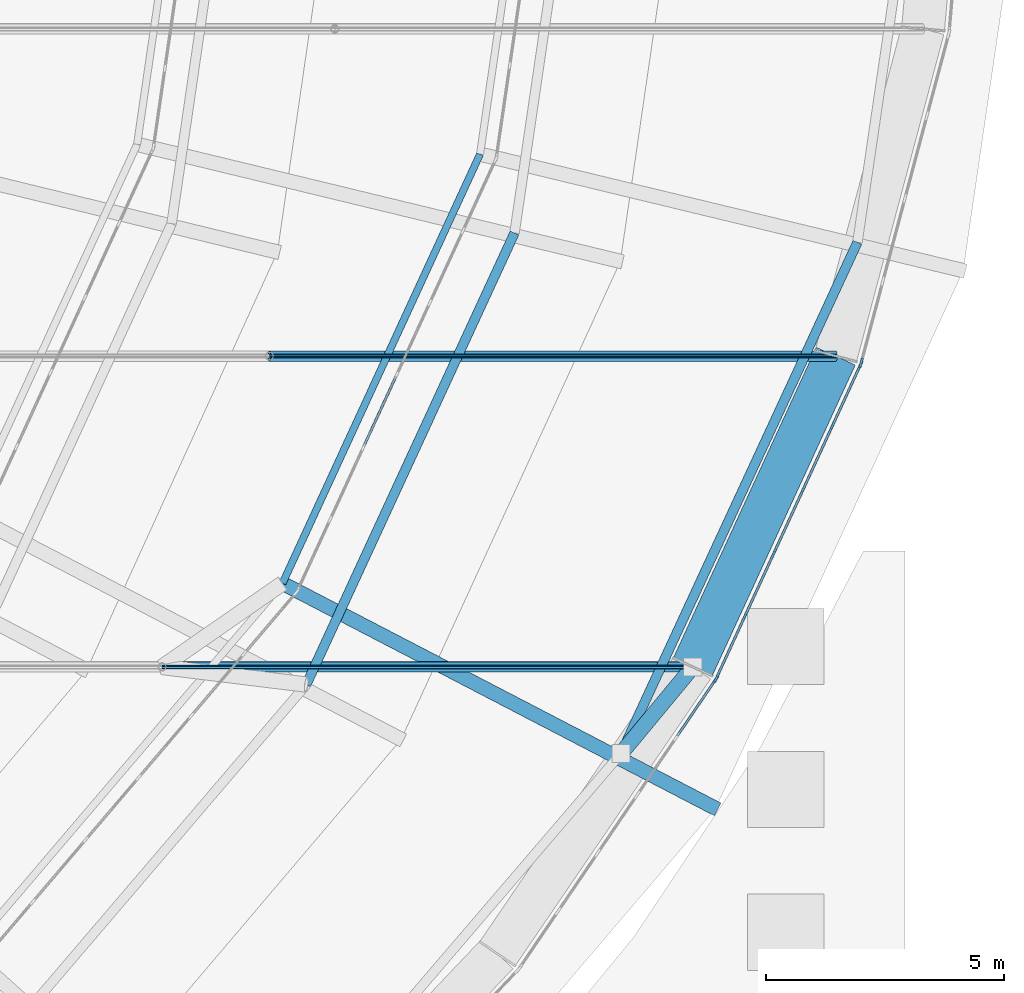
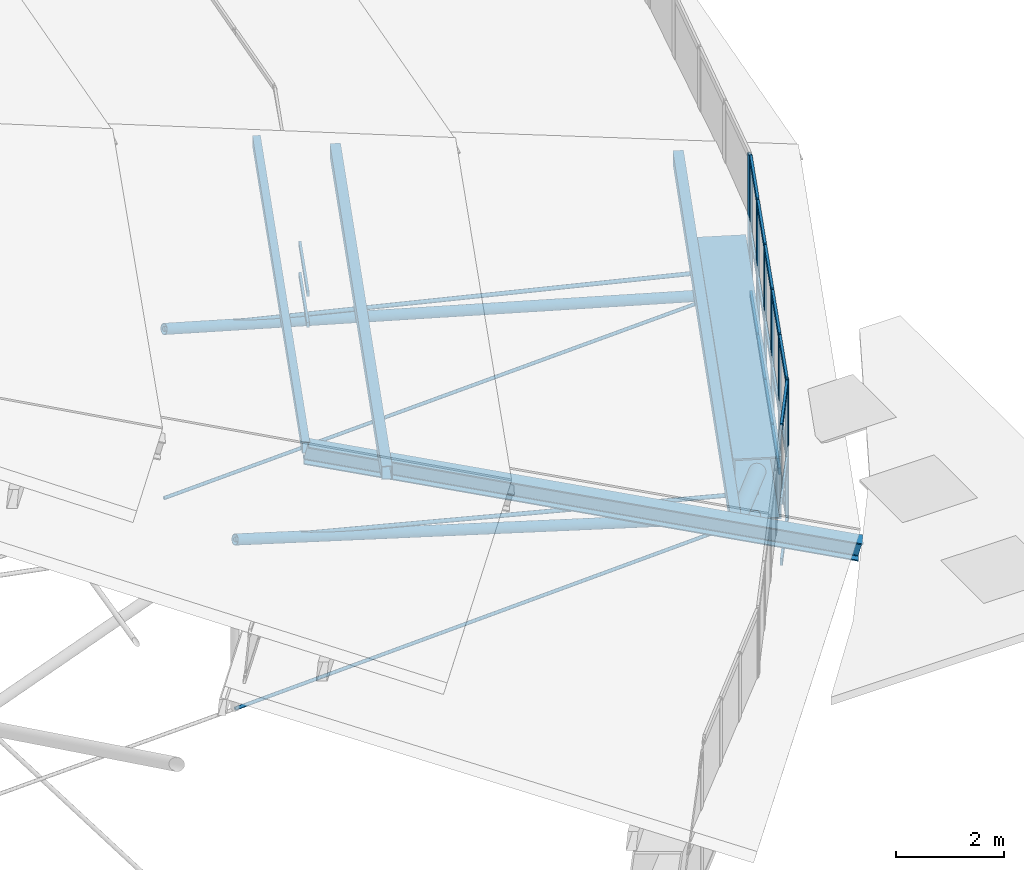
# One storey, part 83 of 173: 39 members, 1 beam, 4 elements without a shape of their own.
"""IFC4 building model written with IfcOpenShell, lengths in metres."""

from ifc_helpers import new_model, si_unit, direction, frame, origin, origin_2d, place, context, subcontext, project, spatial, rectangle, hollow_rectangle, circle, hollow_circle, i_section, extrude, material, material_profile, profile_set, type_object, element, aggregate, save


model = new_model("IFC4")

# Units and contexts
model_context = context("Model", 3, precision=1e-05, world=origin(), true_north=direction((0.0, 1.0)))
body_context = subcontext(model_context, "Body", "Model", "MODEL_VIEW")
ifc_project = project(units=[si_unit("LENGTHUNIT", "METRE"), si_unit("AREAUNIT", "SQUARE_METRE"), si_unit("VOLUMEUNIT", "CUBIC_METRE"), si_unit("PLANEANGLEUNIT", "RADIAN"), si_unit("MASSUNIT", "GRAM", prefix="KILO")], contexts=[model_context])

# Site, building, storey
site_placement = place(None, origin())
site = spatial("IfcSite", under=ifc_project, at=site_placement, CompositionType="ELEMENT")
building_placement = place(site_placement, origin())
building = spatial("IfcBuilding", under=site, at=building_placement, Name="Glasvene Arena", CompositionType="ELEMENT")
storey_placement = place(building_placement, frame((0.0, 0.0, 28.800048828125)))
storey = spatial("IfcBuildingStorey", under=building, at=storey_placement, Name="RF", CompositionType="ELEMENT", Elevation=28.800048828125)

# Beam
ifc_material_1 = material(Name="Steel S355J2", Category="steel")
ifc_material_profile_1 = material_profile(ifc_material_1, hollow_rectangle(XDim=0.89990234375, YDim=1.39990234375, WallThickness=0.034912109375, at=origin_2d()), Name="WBOX 900x1400x35")
ifc_profile_set_1 = profile_set([ifc_material_profile_1], Name="Steel S355J2")
beam_type = type_object("IfcBeamType", Name="BM-RING-BOX1400", PredefinedType="USERDEFINED", material=ifc_profile_set_1)
beam_placement = place(storey_placement, frame((136.55029296875, 52.5703125, -0.699951171875), z_axis=(0.418070582056, 0.908414546569, 0.0), x_axis=(-0.908414546569, 0.418070582056, 0.0)))
element("IfcBeam", 1, at=beam_placement, inside=storey, type_object=beam_type, Name="Compression ring beam chord RB-38", ObjectType="RING BEAM", PredefinedType="USERDEFINED", context=body_context, shape_type="SweptSolid", body=[
    extrude(hollow_rectangle(XDim=0.89990234375, YDim=1.39990234375, WallThickness=0.034912109375, at=origin_2d()), origin(), (0.0, 0.0, 1.0), 7.181640625),
])

# Curtain wall, member
ifc_material_2 = material(Name="Low-emissivity laminated double glazing", Category="glass")
curtain_wall_type_1 = type_object("IfcCurtainWallType", Name="CW-DRUM-737x310", PredefinedType="USERDEFINED", material=ifc_material_2)
curtain_wall_1_placement = place(storey_placement, frame((132.895751953125, 46.226318359375, 0.0)))
curtain_wall_1 = element("IfcCurtainWall", 2, at=curtain_wall_1_placement, inside=storey, type_object=curtain_wall_type_1, Name="Crown compression-ring fascia curtain wall 37", ObjectType="CURTAIN WALL", PredefinedType="USERDEFINED")
ifc_material_3 = material(Name="Anodised architectural aluminium", Category="aluminium")
ifc_material_profile_2 = material_profile(ifc_material_3, rectangle(XDim=0.050048828125, YDim=0.199951171875, at=origin_2d()), Name="ALU MULLION 50x200")
ifc_profile_set_2 = profile_set([ifc_material_profile_2], Name="Anodised architectural aluminium")
member_type_1 = type_object("IfcMemberType", Name="CW-MUL-180", PredefinedType="MULLION", material=ifc_profile_set_2)
member_1_placement = place(storey_placement, frame((137.0263671875, 52.300048828125, -1.380126953125), z_axis=(0.0, 0.0, 1.0), x_axis=(-0.826896469394, 0.56235418457, 0.0)))
member_1 = element("IfcMember", 3, at=member_1_placement, type_object=member_type_1, Name="CW-074 mullion 6", PredefinedType="MULLION", context=body_context, shape_type="SweptSolid", body=[
    extrude(rectangle(XDim=0.050048828125, YDim=0.199951171875, at=origin_2d()), origin(), (0.0, 0.0, 1.0), 3.10009765625),
])

# Curtain wall, members
curtain_wall_type_2 = type_object("IfcCurtainWallType", Name="CW-DRUM-727x310", PredefinedType="USERDEFINED", material=ifc_material_2)
curtain_wall_2_placement = place(storey_placement, frame((137.040283203125, 52.32080078125, 0.0)))
curtain_wall_2 = element("IfcCurtainWall", 4, at=curtain_wall_2_placement, inside=storey, type_object=curtain_wall_type_2, Name="Crown compression-ring fascia curtain wall 38", ObjectType="CURTAIN WALL", PredefinedType="USERDEFINED")
member_2_placement = place(storey_placement, frame((137.05078125, 52.343505859375, -1.380126953125), z_axis=(0.0, 0.0, 1.0), x_axis=(-0.908603046232, 0.417660752738, 0.0)))
member_2 = element("IfcMember", 5, at=member_2_placement, type_object=member_type_1, Name="CW-073 mullion 1", PredefinedType="MULLION", context=body_context, shape_type="SweptSolid", body=[
    extrude(rectangle(XDim=0.050048828125, YDim=0.199951171875, at=origin_2d()), origin(), (0.0, 0.0, 1.0), 3.10009765625),
])
member_3_placement = place(storey_placement, frame((137.6474609375, 53.641357421875, -1.380126953125), z_axis=(0.0, 0.0, 1.0), x_axis=(-0.908603046232, 0.417660752738, 0.0)))
member_3 = element("IfcMember", 6, at=member_3_placement, type_object=member_type_1, Name="CW-073 mullion 2", PredefinedType="MULLION", context=body_context, shape_type="SweptSolid", body=[
    extrude(rectangle(XDim=0.050048828125, YDim=0.199951171875, at=origin_2d()), origin(), (0.0, 0.0, 1.0), 3.10009765625),
])
member_4_placement = place(storey_placement, frame((138.254638671875, 54.962158203125, -1.380126953125), z_axis=(0.0, 0.0, 1.0), x_axis=(-0.908603046232, 0.417660752738, 0.0)))
member_4 = element("IfcMember", 7, at=member_4_placement, type_object=member_type_1, Name="CW-073 mullion 3", PredefinedType="MULLION", context=body_context, shape_type="SweptSolid", body=[
    extrude(rectangle(XDim=0.050048828125, YDim=0.199951171875, at=origin_2d()), origin(), (0.0, 0.0, 1.0), 3.10009765625),
])
member_5_placement = place(storey_placement, frame((138.86181640625, 56.282958984375, -1.380126953125), z_axis=(0.0, 0.0, 1.0), x_axis=(-0.908603046232, 0.417660752738, 0.0)))
member_5 = element("IfcMember", 8, at=member_5_placement, type_object=member_type_1, Name="CW-073 mullion 4", PredefinedType="MULLION", context=body_context, shape_type="SweptSolid", body=[
    extrude(rectangle(XDim=0.050048828125, YDim=0.199951171875, at=origin_2d()), origin(), (0.0, 0.0, 1.0), 3.10009765625),
])
member_6_placement = place(storey_placement, frame((139.46875, 57.603515625, -1.380126953125), z_axis=(0.0, 0.0, 1.0), x_axis=(-0.908603046232, 0.417660752738, 0.0)))
member_6 = element("IfcMember", 9, at=member_6_placement, type_object=member_type_1, Name="CW-073 mullion 5", PredefinedType="MULLION", context=body_context, shape_type="SweptSolid", body=[
    extrude(rectangle(XDim=0.050048828125, YDim=0.199951171875, at=origin_2d()), origin(), (0.0, 0.0, 1.0), 3.10009765625),
])
member_7_placement = place(storey_placement, frame((140.0654296875, 58.901611328125, -1.380126953125), z_axis=(0.0, 0.0, 1.0), x_axis=(-0.908603046232, 0.417660752738, 0.0)))
member_7 = element("IfcMember", 10, at=member_7_placement, type_object=member_type_1, Name="CW-073 mullion 6", PredefinedType="MULLION", context=body_context, shape_type="SweptSolid", body=[
    extrude(rectangle(XDim=0.050048828125, YDim=0.199951171875, at=origin_2d()), origin(), (0.0, 0.0, 1.0), 3.10009765625),
])

# Curtain wall, member
curtain_wall_type_3 = type_object("IfcCurtainWallType", Name="CW-DRUM-719x310", PredefinedType="USERDEFINED", material=ifc_material_2)
curtain_wall_3_placement = place(storey_placement, frame((140.075927734375, 58.92431640625, 0.0)))
curtain_wall_3 = element("IfcCurtainWall", 11, at=curtain_wall_3_placement, inside=storey, type_object=curtain_wall_type_3, Name="Crown compression-ring fascia curtain wall 39", ObjectType="CURTAIN WALL", PredefinedType="USERDEFINED")
member_8_placement = place(storey_placement, frame((140.082275390625, 58.948486328125, -1.380126953125), z_axis=(0.0, 0.0, 1.0), x_axis=(-0.966292374807, 0.257447172039, 0.0)))
member_8 = element("IfcMember", 12, at=member_8_placement, type_object=member_type_1, Name="CW-072 mullion 1", PredefinedType="MULLION", context=body_context, shape_type="SweptSolid", body=[
    extrude(rectangle(XDim=0.050048828125, YDim=0.199951171875, at=origin_2d()), origin(), (0.0, 0.0, 1.0), 3.10009765625),
])
aggregate(curtain_wall_3, [member_8])

# Curtain wall, members
curtain_wall_type_4 = type_object("IfcCurtainWallType", Name="CW-PET1-1001x75", PredefinedType="USERDEFINED", material=ifc_material_2)
curtain_wall_4_placement = place(storey_placement, frame((128.2431640625, 54.14990234375, 0.0)))
curtain_wall_4 = element("IfcCurtainWall", 13, at=curtain_wall_4_placement, inside=storey, type_object=curtain_wall_type_4, Name="Petal ring 1-2 clerestory curtain wall 23", ObjectType="CURTAIN WALL", PredefinedType="USERDEFINED")
ifc_material_profile_3 = material_profile(ifc_material_3, rectangle(XDim=0.050048828125, YDim=0.1201171875, at=origin_2d()), Name="ALU TRANSOM 50x120")
ifc_profile_set_3 = profile_set([ifc_material_profile_3], Name="Anodised architectural aluminium")
member_type_2 = type_object("IfcMemberType", Name="CW-TRN-120", PredefinedType="USERDEFINED", material=ifc_profile_set_3)
member_9_placement = place(storey_placement, frame((129.647216796875, 57.20361328125, 2.60498046875), z_axis=(0.417823409802, 0.908528259451, 0.0), x_axis=(-0.908528259451, 0.417823409802, 0.0)))
member_9 = element("IfcMember", 14, at=member_9_placement, type_object=member_type_2, Name="CW-082 transom 3.1", ObjectType="TRANSOM", PredefinedType="USERDEFINED", context=body_context, shape_type="SweptSolid", body=[
    extrude(rectangle(XDim=0.050048828125, YDim=0.1201171875, at=origin_2d()), origin(), (0.0, 0.0, 1.0), 1.617919921875),
])
member_10_placement = place(storey_placement, frame((129.647216796875, 57.20361328125, 3.304931640625), z_axis=(0.417823409802, 0.908528259451, 0.0), x_axis=(-0.908528259451, 0.417823409802, 0.0)))
member_10 = element("IfcMember", 15, at=member_10_placement, type_object=member_type_2, Name="CW-082 transom 3.2", ObjectType="TRANSOM", PredefinedType="USERDEFINED", context=body_context, shape_type="SweptSolid", body=[
    extrude(rectangle(XDim=0.050048828125, YDim=0.1201171875, at=origin_2d()), origin(), (0.0, 0.0, 1.0), 1.617919921875),
])
aggregate(curtain_wall_4, [member_9, member_10])

# Member
ifc_material_profile_4 = material_profile(ifc_material_3, rectangle(XDim=0.050048828125, YDim=0.14990234375, at=origin_2d()), Name="ALU TRANSOM 50x150")
ifc_profile_set_4 = profile_set([ifc_material_profile_4], Name="Anodised architectural aluminium")
member_type_3 = type_object("IfcMemberType", Name="CW-TRN-150", PredefinedType="USERDEFINED", material=ifc_profile_set_4)
member_11_placement = place(storey_placement, frame((136.2255859375, 51.12255859375, -1.35498046875), z_axis=(0.562329116221, 0.826913517274, 0.0), x_axis=(-0.826913517274, 0.562329116221, 0.0)))
member_11 = element("IfcMember", 16, at=member_11_placement, type_object=member_type_3, Name="CW-074 transom 5.1", ObjectType="TRANSOM", PredefinedType="USERDEFINED", context=body_context, shape_type="SweptSolid", body=[
    extrude(rectangle(XDim=0.050048828125, YDim=0.14990234375, at=origin_2d()), origin(), (0.0, 0.0, 1.0), 1.39892578125),
])

member_12_placement = place(storey_placement, frame((136.2255859375, 51.12255859375, 0.02001953125), z_axis=(0.562329116221, 0.826913517274, 0.0), x_axis=(-0.826913517274, 0.562329116221, 0.0)))
member_12 = element("IfcMember", 17, at=member_12_placement, type_object=member_type_3, Name="CW-074 transom 5.2", ObjectType="TRANSOM", PredefinedType="USERDEFINED", context=body_context, shape_type="SweptSolid", body=[
    extrude(rectangle(XDim=0.050048828125, YDim=0.14990234375, at=origin_2d()), origin(), (0.0, 0.0, 1.0), 1.39892578125),
])

member_13_placement = place(storey_placement, frame((136.2255859375, 51.12255859375, 1.695068359375), z_axis=(0.562329116221, 0.826913517274, 0.0), x_axis=(-0.826913517274, 0.562329116221, 0.0)))
member_13 = element("IfcMember", 18, at=member_13_placement, type_object=member_type_3, Name="CW-074 transom 5.3", ObjectType="TRANSOM", PredefinedType="USERDEFINED", context=body_context, shape_type="SweptSolid", body=[
    extrude(rectangle(XDim=0.050048828125, YDim=0.14990234375, at=origin_2d()), origin(), (0.0, 0.0, 1.0), 1.39892578125),
])

aggregate(curtain_wall_1, [member_1, member_11, member_12, member_13])

member_14_placement = place(storey_placement, frame((137.061279296875, 52.3662109375, -1.35498046875), z_axis=(0.417642458451, 0.908611455408, 0.0), x_axis=(-0.908611455408, 0.417642458451, 0.0)))
member_14 = element("IfcMember", 19, at=member_14_placement, type_object=member_type_3, Name="CW-073 transom 1.1", ObjectType="TRANSOM", PredefinedType="USERDEFINED", context=body_context, shape_type="SweptSolid", body=[
    extrude(rectangle(XDim=0.050048828125, YDim=0.14990234375, at=origin_2d()), origin(), (0.0, 0.0, 1.0), 1.37841796875),
])

member_15_placement = place(storey_placement, frame((137.061279296875, 52.3662109375, 0.02001953125), z_axis=(0.417642458451, 0.908611455408, 0.0), x_axis=(-0.908611455408, 0.417642458451, 0.0)))
member_15 = element("IfcMember", 20, at=member_15_placement, type_object=member_type_3, Name="CW-073 transom 1.2", ObjectType="TRANSOM", PredefinedType="USERDEFINED", context=body_context, shape_type="SweptSolid", body=[
    extrude(rectangle(XDim=0.050048828125, YDim=0.14990234375, at=origin_2d()), origin(), (0.0, 0.0, 1.0), 1.37841796875),
])

member_16_placement = place(storey_placement, frame((137.061279296875, 52.3662109375, 1.695068359375), z_axis=(0.417642458451, 0.908611455408, 0.0), x_axis=(-0.908611455408, 0.417642458451, 0.0)))
member_16 = element("IfcMember", 21, at=member_16_placement, type_object=member_type_3, Name="CW-073 transom 1.3", ObjectType="TRANSOM", PredefinedType="USERDEFINED", context=body_context, shape_type="SweptSolid", body=[
    extrude(rectangle(XDim=0.050048828125, YDim=0.14990234375, at=origin_2d()), origin(), (0.0, 0.0, 1.0), 1.37841796875),
])

member_17_placement = place(storey_placement, frame((137.657958984375, 53.6640625, -1.35498046875), z_axis=(0.417612731634, 0.908625118724, 0.0), x_axis=(-0.908625118724, 0.417612731634, 0.0)))
member_17 = element("IfcMember", 22, at=member_17_placement, type_object=member_type_3, Name="CW-073 transom 2.1", ObjectType="TRANSOM", PredefinedType="USERDEFINED", context=body_context, shape_type="SweptSolid", body=[
    extrude(rectangle(XDim=0.050048828125, YDim=0.14990234375, at=origin_2d()), origin(), (0.0, 0.0, 1.0), 1.403564453125),
])

member_18_placement = place(storey_placement, frame((137.657958984375, 53.6640625, 0.02001953125), z_axis=(0.417612731634, 0.908625118724, 0.0), x_axis=(-0.908625118724, 0.417612731634, 0.0)))
member_18 = element("IfcMember", 23, at=member_18_placement, type_object=member_type_3, Name="CW-073 transom 2.2", ObjectType="TRANSOM", PredefinedType="USERDEFINED", context=body_context, shape_type="SweptSolid", body=[
    extrude(rectangle(XDim=0.050048828125, YDim=0.14990234375, at=origin_2d()), origin(), (0.0, 0.0, 1.0), 1.403564453125),
])

member_19_placement = place(storey_placement, frame((137.657958984375, 53.6640625, 1.695068359375), z_axis=(0.417612731634, 0.908625118724, 0.0), x_axis=(-0.908625118724, 0.417612731634, 0.0)))
member_19 = element("IfcMember", 24, at=member_19_placement, type_object=member_type_3, Name="CW-073 transom 2.3", ObjectType="TRANSOM", PredefinedType="USERDEFINED", context=body_context, shape_type="SweptSolid", body=[
    extrude(rectangle(XDim=0.050048828125, YDim=0.14990234375, at=origin_2d()), origin(), (0.0, 0.0, 1.0), 1.403564453125),
])

member_20_placement = place(storey_placement, frame((138.26513671875, 54.98486328125, -1.35498046875), z_axis=(0.417612731634, 0.908625118724, 0.0), x_axis=(-0.908625118724, 0.417612731634, 0.0)))
member_20 = element("IfcMember", 25, at=member_20_placement, type_object=member_type_3, Name="CW-073 transom 3.1", ObjectType="TRANSOM", PredefinedType="USERDEFINED", context=body_context, shape_type="SweptSolid", body=[
    extrude(rectangle(XDim=0.050048828125, YDim=0.14990234375, at=origin_2d()), origin(), (0.0, 0.0, 1.0), 1.403564453125),
])

member_21_placement = place(storey_placement, frame((138.26513671875, 54.98486328125, 0.02001953125), z_axis=(0.417612731634, 0.908625118724, 0.0), x_axis=(-0.908625118724, 0.417612731634, 0.0)))
member_21 = element("IfcMember", 26, at=member_21_placement, type_object=member_type_3, Name="CW-073 transom 3.2", ObjectType="TRANSOM", PredefinedType="USERDEFINED", context=body_context, shape_type="SweptSolid", body=[
    extrude(rectangle(XDim=0.050048828125, YDim=0.14990234375, at=origin_2d()), origin(), (0.0, 0.0, 1.0), 1.403564453125),
])

member_22_placement = place(storey_placement, frame((138.26513671875, 54.98486328125, 1.695068359375), z_axis=(0.417612731634, 0.908625118724, 0.0), x_axis=(-0.908625118724, 0.417612731634, 0.0)))
member_22 = element("IfcMember", 27, at=member_22_placement, type_object=member_type_3, Name="CW-073 transom 3.3", ObjectType="TRANSOM", PredefinedType="USERDEFINED", context=body_context, shape_type="SweptSolid", body=[
    extrude(rectangle(XDim=0.050048828125, YDim=0.14990234375, at=origin_2d()), origin(), (0.0, 0.0, 1.0), 1.403564453125),
])

member_23_placement = place(storey_placement, frame((138.8720703125, 56.3056640625, -1.35498046875), z_axis=(0.417678740372, 0.908594777578, 0.0), x_axis=(-0.908594777578, 0.417678740372, 0.0)))
member_23 = element("IfcMember", 28, at=member_23_placement, type_object=member_type_3, Name="CW-073 transom 4.1", ObjectType="TRANSOM", PredefinedType="USERDEFINED", context=body_context, shape_type="SweptSolid", body=[
    extrude(rectangle(XDim=0.050048828125, YDim=0.14990234375, at=origin_2d()), origin(), (0.0, 0.0, 1.0), 1.4033203125),
])

member_24_placement = place(storey_placement, frame((138.8720703125, 56.3056640625, 0.02001953125), z_axis=(0.417678740372, 0.908594777578, 0.0), x_axis=(-0.908594777578, 0.417678740372, 0.0)))
member_24 = element("IfcMember", 29, at=member_24_placement, type_object=member_type_3, Name="CW-073 transom 4.2", ObjectType="TRANSOM", PredefinedType="USERDEFINED", context=body_context, shape_type="SweptSolid", body=[
    extrude(rectangle(XDim=0.050048828125, YDim=0.14990234375, at=origin_2d()), origin(), (0.0, 0.0, 1.0), 1.4033203125),
])

member_25_placement = place(storey_placement, frame((138.8720703125, 56.3056640625, 1.695068359375), z_axis=(0.417678740372, 0.908594777578, 0.0), x_axis=(-0.908594777578, 0.417678740372, 0.0)))
member_25 = element("IfcMember", 30, at=member_25_placement, type_object=member_type_3, Name="CW-073 transom 4.3", ObjectType="TRANSOM", PredefinedType="USERDEFINED", context=body_context, shape_type="SweptSolid", body=[
    extrude(rectangle(XDim=0.050048828125, YDim=0.14990234375, at=origin_2d()), origin(), (0.0, 0.0, 1.0), 1.4033203125),
])

member_26_placement = place(storey_placement, frame((139.479248046875, 57.626220703125, -1.35498046875), z_axis=(0.417575256607, 0.908642341667, 0.0), x_axis=(-0.908642341667, 0.417575256607, 0.0)))
member_26 = element("IfcMember", 31, at=member_26_placement, type_object=member_type_3, Name="CW-073 transom 5.1", ObjectType="TRANSOM", PredefinedType="USERDEFINED", context=body_context, shape_type="SweptSolid", body=[
    extrude(rectangle(XDim=0.050048828125, YDim=0.14990234375, at=origin_2d()), origin(), (0.0, 0.0, 1.0), 1.378662109375),
])

member_27_placement = place(storey_placement, frame((139.479248046875, 57.626220703125, 0.02001953125), z_axis=(0.417575256607, 0.908642341667, 0.0), x_axis=(-0.908642341667, 0.417575256607, 0.0)))
member_27 = element("IfcMember", 32, at=member_27_placement, type_object=member_type_3, Name="CW-073 transom 5.2", ObjectType="TRANSOM", PredefinedType="USERDEFINED", context=body_context, shape_type="SweptSolid", body=[
    extrude(rectangle(XDim=0.050048828125, YDim=0.14990234375, at=origin_2d()), origin(), (0.0, 0.0, 1.0), 1.378662109375),
])

member_28_placement = place(storey_placement, frame((139.479248046875, 57.626220703125, 1.695068359375), z_axis=(0.417575256607, 0.908642341667, 0.0), x_axis=(-0.908642341667, 0.417575256607, 0.0)))
member_28 = element("IfcMember", 33, at=member_28_placement, type_object=member_type_3, Name="CW-073 transom 5.3", ObjectType="TRANSOM", PredefinedType="USERDEFINED", context=body_context, shape_type="SweptSolid", body=[
    extrude(rectangle(XDim=0.050048828125, YDim=0.14990234375, at=origin_2d()), origin(), (0.0, 0.0, 1.0), 1.378662109375),
])

aggregate(curtain_wall_2, [member_2, member_3, member_4, member_5, member_6, member_7, member_14, member_15, member_16, member_17, member_18, member_19, member_20, member_21, member_22, member_23, member_24, member_25, member_26, member_27, member_28])

# Members
ifc_material_4 = material(Name="High-strength steel spiral strand S460", Category="steel")
ifc_material_profile_5 = material_profile(ifc_material_4, circle(Radius=0.03759765625, at=origin_2d()), Name="LCSS D75")
ifc_profile_set_5 = profile_set([ifc_material_profile_5], Name="High-strength steel spiral strand S460")
member_type_4 = type_object("IfcMemberType", Name="MB-CABLE-75", PredefinedType="USERDEFINED", material=ifc_profile_set_5)
member_29_placement = place(storey_placement, frame((125.41259765625, 52.5703125, -1.753173828125), z_axis=(0.999244778277, 0.0, 0.038857085416), x_axis=(0.0, 1.0, 0.0)))
element("IfcMember", 34, at=member_29_placement, inside=storey, type_object=member_type_4, Name="Lower stabilization roof cable EW01-08", ObjectType="ROOF CABLE", PredefinedType="USERDEFINED", context=body_context, shape_type="SweptSolid", body=[
    extrude(circle(Radius=0.03759765625, at=origin_2d()), origin(), (0.0, 0.0, 1.0), 11.14599609375),
])
member_30_placement = place(storey_placement, frame((127.66455078125, 59.09423828125, -1.753173828125), z_axis=(0.999337029386, 0.0, 0.036407440139), x_axis=(0.0, 1.0, 0.0)))
element("IfcMember", 35, at=member_30_placement, inside=storey, type_object=member_type_4, Name="Lower stabilization roof cable EW02-08", ObjectType="ROOF CABLE", PredefinedType="USERDEFINED", context=body_context, shape_type="SweptSolid", body=[
    extrude(circle(Radius=0.03759765625, at=origin_2d()), origin(), (0.0, 0.0, 1.0), 11.89599609375),
])
ifc_material_profile_6 = material_profile(ifc_material_4, circle(Radius=0.044921875, at=origin_2d()), Name="LCSS D90")
ifc_profile_set_6 = profile_set([ifc_material_profile_6], Name="High-strength steel spiral strand S460")
member_type_5 = type_object("IfcMemberType", Name="MB-CABLE-90", PredefinedType="USERDEFINED", material=ifc_profile_set_6)
member_31_placement = place(storey_placement, frame((125.41259765625, 52.5703125, 2.06103515625), z_axis=(0.968971956454, 0.0, -0.247170685166), x_axis=(0.0, 1.0, 0.0)))
element("IfcMember", 36, at=member_31_placement, inside=storey, type_object=member_type_5, Name="Upper lens roof cable EW01-08", ObjectType="ROOF CABLE", PredefinedType="USERDEFINED", context=body_context, shape_type="SweptSolid", body=[
    extrude(circle(Radius=0.044921875, at=origin_2d()), origin(), (0.0, 0.0, 1.0), 11.494384765625),
])
member_32_placement = place(storey_placement, frame((127.66455078125, 59.09423828125, 2.06103515625), z_axis=(0.972611490438, 0.0, -0.232436848775), x_axis=(0.0, 1.0, 0.0)))
element("IfcMember", 37, at=member_32_placement, inside=storey, type_object=member_type_5, Name="Upper lens roof cable EW02-08", ObjectType="ROOF CABLE", PredefinedType="USERDEFINED", context=body_context, shape_type="SweptSolid", body=[
    extrude(circle(Radius=0.044921875, at=origin_2d()), origin(), (0.0, 0.0, 1.0), 12.222900390625),
])
ifc_material_profile_7 = material_profile(ifc_material_1, i_section(OverallWidth=0.300048828125, OverallDepth=0.39990234375, WebThickness=0.013427734375, FlangeThickness=0.02392578125, FilletRadius=0.027099609375, at=origin_2d()), Name="HEB 400")
ifc_profile_set_7 = profile_set([ifc_material_profile_7], Name="Steel S355J2")
member_type_6 = type_object("IfcMemberType", Name="MB-CHORD-HEB400", PredefinedType="CHORD", material=ifc_profile_set_7)
member_33_placement = place(storey_placement, frame((137.033203125, 49.60009765625, -0.400146484375), z_axis=(-0.862078757918, 0.447935622671, 0.237010322748), x_axis=(-0.46107291245, -0.887362253764, 0.0)))
element("IfcMember", 38, at=member_33_placement, inside=storey, type_object=member_type_6, Name="Petal ring 1 radial rib 23", PredefinedType="CHORD", context=body_context, shape_type="SweptSolid", body=[
    extrude(i_section(OverallWidth=0.300048828125, OverallDepth=0.39990234375, WebThickness=0.013427734375, FlangeThickness=0.02392578125, FilletRadius=0.027099609375, at=origin_2d()), origin(), (0.0, 0.0, 1.0), 10.548095703125),
])
ifc_material_profile_8 = material_profile(ifc_material_1, hollow_circle(Radius=0.161865234375, WallThickness=0.01611328125, at=origin_2d()), Name="CHS 323.9x16.0")
ifc_profile_set_8 = profile_set([ifc_material_profile_8], Name="Steel S355J2")
member_type_7 = type_object("IfcMemberType", Name="MB-POST-CHS324", PredefinedType="BRACE", material=ifc_profile_set_8)
member_34_placement = place(storey_placement, frame((136.55029296875, 52.5703125, -0.300048828125), z_axis=(-0.626028456856, -0.755286112349, 0.193987782343), x_axis=(0.769911391409, -0.638150804574, 0.0)))
element("IfcMember", 39, at=member_34_placement, inside=storey, type_object=member_type_7, Name="Petal ring 1 outer support post 23", PredefinedType="BRACE", context=body_context, shape_type="SweptSolid", body=[
    extrude(hollow_circle(Radius=0.161865234375, WallThickness=0.01611328125, at=origin_2d()), origin(), (0.0, 0.0, 1.0), 2.41015625),
])
ifc_material_profile_9 = material_profile(ifc_material_1, hollow_rectangle(XDim=0.14990234375, YDim=0.25, WallThickness=0.010009765625, at=origin_2d()), Name="RHS 250x150x10.0")
ifc_profile_set_9 = profile_set([ifc_material_profile_9], Name="Steel S355J2")
member_type_8 = type_object("IfcMemberType", Name="MB-PURLIN-RHS250", PredefinedType="PURLIN", material=ifc_profile_set_9)
member_35_placement = place(storey_placement, frame((127.93994140625, 54.324951171875, 2.181884765625), z_axis=(0.418096202574, 0.908402755056, 0.0), x_axis=(-0.908402755056, 0.418096202574, 0.0)))
element("IfcMember", 40, at=member_35_placement, inside=storey, type_object=member_type_8, Name="Petal ring 1 ridge purlin 23", PredefinedType="PURLIN", context=body_context, shape_type="SweptSolid", body=[
    extrude(hollow_rectangle(XDim=0.14990234375, YDim=0.25, WallThickness=0.010009765625, at=origin_2d()), origin(), (0.0, 0.0, 1.0), 9.916259765625),
])
ifc_material_profile_10 = material_profile(ifc_material_1, hollow_rectangle(XDim=0.199951171875, YDim=0.300048828125, WallThickness=0.012451171875, at=origin_2d()), Name="RHS 300x200x12.5")
ifc_profile_set_10 = profile_set([ifc_material_profile_10], Name="Steel S355J2")
member_type_9 = type_object("IfcMemberType", Name="MB-PURLIN-RHS300", PredefinedType="PURLIN", material=ifc_profile_set_10)
member_36_placement = place(storey_placement, frame((135.04150390625, 50.75, 0.16748046875), z_axis=(0.419863178839, 0.907587412349, 0.0), x_axis=(-0.907587412349, 0.419863178839, 0.0)))
element("IfcMember", 41, at=member_36_placement, inside=storey, type_object=member_type_9, Name="Petal ring 1 outer purlin 23", PredefinedType="PURLIN", context=body_context, shape_type="SweptSolid", body=[
    extrude(hollow_rectangle(XDim=0.199951171875, YDim=0.300048828125, WallThickness=0.012451171875, at=origin_2d()), origin(), (0.0, 0.0, 1.0), 11.825439453125),
])
member_37_placement = place(storey_placement, frame((128.438720703125, 52.199951171875, 2.728515625), z_axis=(0.418734792983, 0.90810856903, 0.0), x_axis=(-0.90810856903, 0.418734792983, 0.0)))
element("IfcMember", 42, at=member_37_placement, inside=storey, type_object=member_type_9, Name="Petal ring 2 outer purlin 23", PredefinedType="PURLIN", context=body_context, shape_type="SweptSolid", body=[
    extrude(hollow_rectangle(XDim=0.199951171875, YDim=0.300048828125, WallThickness=0.012451171875, at=origin_2d()), origin(), (0.0, 0.0, 1.0), 10.437744140625),
])
ifc_material_profile_11 = material_profile(ifc_material_1, hollow_circle(Radius=0.109619140625, WallThickness=0.010009765625, at=origin_2d()), Name="CHS 219.1x10.0")
ifc_profile_set_11 = profile_set([ifc_material_profile_11], Name="Steel S355J2")
member_type_10 = type_object("IfcMemberType", Name="MB-WEB-CHS219", PredefinedType="BRACE", material=ifc_profile_set_11)
member_38_placement = place(storey_placement, frame((125.41259765625, 52.5703125, 2.06103515625), z_axis=(0.956880160204, 0.0, -0.29048297542), x_axis=(0.0, 1.0, 0.0)))
element("IfcMember", 43, at=member_38_placement, inside=storey, type_object=member_type_10, Name="Cable-truss diagonal web strut EW01-08", PredefinedType="BRACE", context=body_context, shape_type="SweptSolid", body=[
    extrude(hollow_circle(Radius=0.109619140625, WallThickness=0.010009765625, at=origin_2d()), origin(), (0.0, 0.0, 1.0), 11.6396484375),
])
member_39_placement = place(storey_placement, frame((127.66455078125, 59.09423828125, 2.06103515625), z_axis=(0.961854948899, 0.0, -0.273559970167), x_axis=(0.0, 1.0, 0.0)))
element("IfcMember", 44, at=member_39_placement, inside=storey, type_object=member_type_10, Name="Cable-truss diagonal web strut EW02-08", PredefinedType="BRACE", context=body_context, shape_type="SweptSolid", body=[
    extrude(hollow_circle(Radius=0.109619140625, WallThickness=0.010009765625, at=origin_2d()), origin(), (0.0, 0.0, 1.0), 12.359619140625),
])

save(model, "model.ifc")
